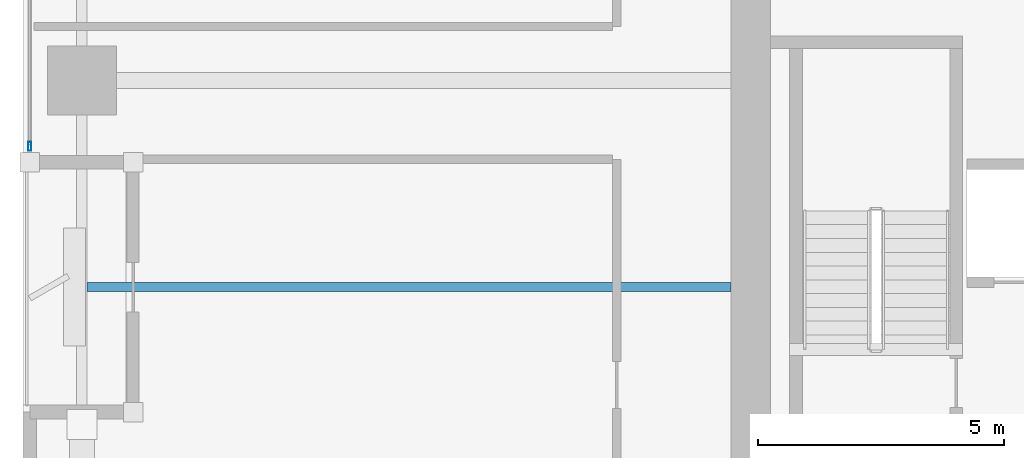
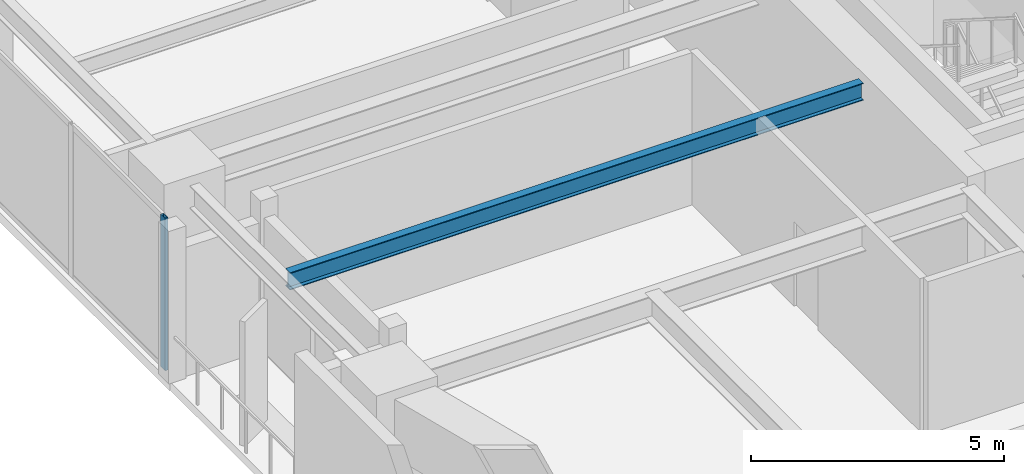
# One storey, part 2 of 30: 1 beam, 1 member, 1 element without a shape of its own.
"""IFC4 building model written with IfcOpenShell, lengths in metres."""

from ifc_helpers import new_model, si_unit, direction, frame, origin, origin_2d, place, context, subcontext, project, spatial, hollow_rectangle, i_section, extrude, material, layer, layer_set, material_profile, profile_set, type_object, element, aggregate, save


model = new_model("IFC4")

# Units and contexts
model_context = context("Model", 3, precision=1e-05, world=origin(), true_north=direction((0.0, 1.0)))
body_context = subcontext(model_context, "Body", "Model", "MODEL_VIEW")
ifc_project = project(units=[si_unit("LENGTHUNIT", "METRE"), si_unit("AREAUNIT", "SQUARE_METRE"), si_unit("VOLUMEUNIT", "CUBIC_METRE"), si_unit("PLANEANGLEUNIT", "RADIAN"), si_unit("MASSUNIT", "GRAM", prefix="KILO")], contexts=[model_context])

# Site, building, storey
site_placement = place(None, origin())
site = spatial("IfcSite", under=ifc_project, at=site_placement, CompositionType="ELEMENT")
building_placement = place(site_placement, origin())
building = spatial("IfcBuilding", under=site, at=building_placement, Name="Kiyonajd Concourse Tower", CompositionType="ELEMENT")
storey_placement = place(building_placement, frame((0.0, 0.0, 150.60009765625)))
storey = spatial("IfcBuildingStorey", under=building, at=storey_placement, Name="L38", CompositionType="ELEMENT", Elevation=150.60009765625)

# Beam
ifc_material_1 = material(Name="Steel ASTM A992 Grade 50", Category="steel")
ifc_material_profile_1 = material_profile(ifc_material_1, i_section(OverallWidth=0.180908203125, OverallDepth=0.4169921875, WebThickness=0.010986328125, FlangeThickness=0.018310546875, at=origin_2d()), Name="W410X85")
ifc_profile_set_1 = profile_set([ifc_material_profile_1], Name="Steel ASTM A992 Grade 50")
beam_type = type_object("IfcBeamType", Name="BM-JST-410", PredefinedType="JOIST", material=ifc_profile_set_1)
beam_placement = place(storey_placement, frame((19.306884765625, 31.800048828125, 3.471435546875), z_axis=(1.0, 0.0, 0.0), x_axis=(0.0, 1.0, 0.0)))
element("IfcBeam", 1, at=beam_placement, inside=storey, type_object=beam_type, Name="L38 West Secondary Floor Joist", PredefinedType="JOIST", context=body_context, shape_type="SweptSolid", body=[
    extrude(i_section(OverallWidth=0.180908203125, OverallDepth=0.4169921875, WebThickness=0.010986328125, FlangeThickness=0.018310546875, at=origin_2d()), origin(), (0.0, 0.0, 1.0), 13.093017578125),
])

# Curtain wall, member
ifc_material_2 = material(Name="Thermally Broken Anodised Aluminium", Category="aluminium")
ifc_layer = layer(ifc_material_2, 0.179931640625)
ifc_layer_set = layer_set([ifc_layer], Name="Thermally Broken Anodised Aluminium")
curtain_wall_type = type_object("IfcCurtainWallType", Name="CW-SYS-03", PredefinedType="NOTDEFINED", material=ifc_layer_set)
curtain_wall_placement = place(storey_placement, origin())
curtain_wall = element("IfcCurtainWall", 2, at=curtain_wall_placement, inside=storey, type_object=curtain_wall_type, Name="L38 Unitised Curtain Wall CW3", PredefinedType="NOTDEFINED")
ifc_material_profile_2 = material_profile(ifc_material_2, hollow_rectangle(XDim=0.06494140625, YDim=0.179931640625, WallThickness=0.00390625, at=origin_2d()), Name="MULL-65x180")
ifc_profile_set_2 = profile_set([ifc_material_profile_2], Name="Thermally Broken Anodised Aluminium")
member_type = type_object("IfcMemberType", Name="MB-CW-MULL1", PredefinedType="MULLION", material=ifc_profile_set_2)
member_placement = place(storey_placement, frame((18.139892578125, 34.66259765625, 0.0), z_axis=(0.0, 0.0, 1.0), x_axis=(-1.0, 0.0, 0.0)))
member = element("IfcMember", 3, at=member_placement, type_object=member_type, Name="CW3 mullion 1", PredefinedType="MULLION", context=body_context, shape_type="SweptSolid", body=[
    extrude(hollow_rectangle(XDim=0.06494140625, YDim=0.179931640625, WallThickness=0.00390625, at=origin_2d()), origin(), (0.0, 0.0, 1.0), 3.679931640625),
])
aggregate(curtain_wall, [member])

save(model, "model.ifc")
